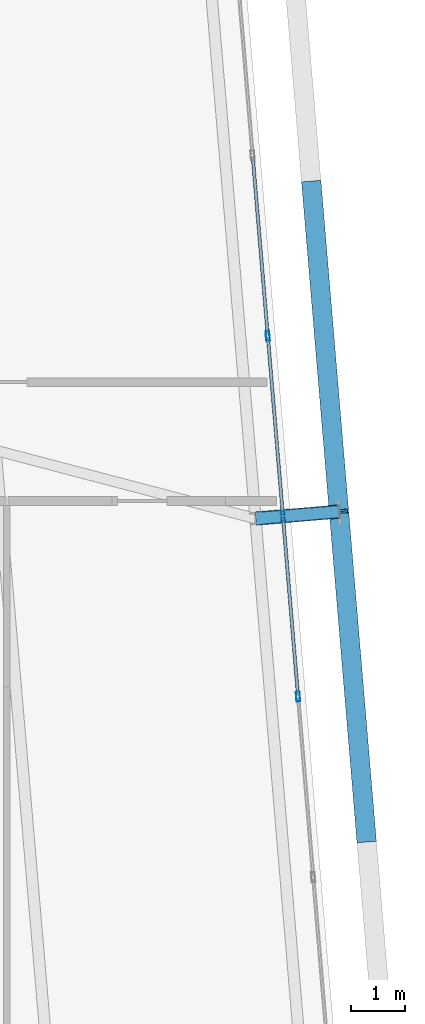
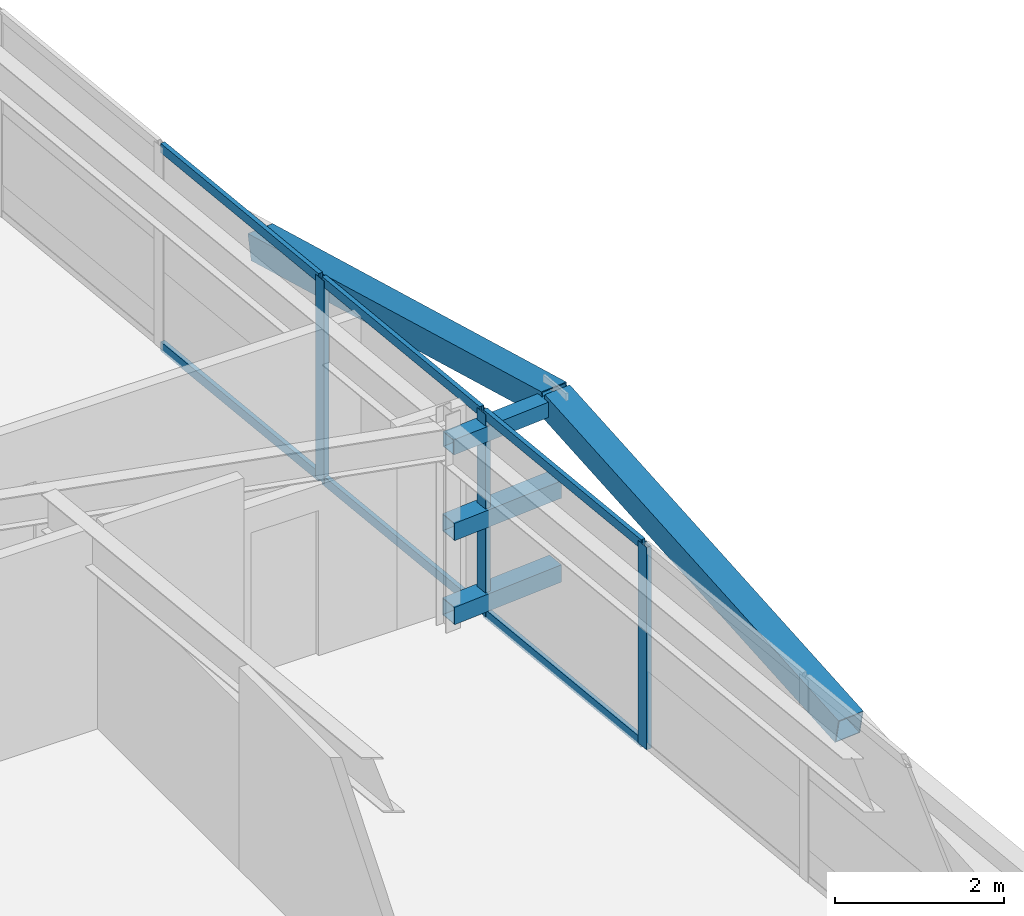
# One storey, part 25 of 44: 14 members, 1 element without a shape of its own.
"""IFC4 building model written with IfcOpenShell, lengths in metres."""

import ifcopenshell
import ifcopenshell.guid

model = None  # the IFC model being written
_history = None  # IfcOwnerHistory: only IFC2X3 demands one
_inside = {}  # id of a spatial element -> (the spatial element, [elements in it])
_under = {}  # id of a project, library or spatial element -> (it, [spatial elements below it])
_declared = {}  # id of a project -> (the project, [libraries it declares])
_typed = {}  # id of a type object -> (the type object, [elements of that type])
_made_of = {}  # id of a material, layer set ... -> (it, [elements and type objects made of it])


def new_model(schema):
    """Start an empty IFC model of exactly this schema.

    Asked for "IFC4X3", IfcOpenShell would pick the latest addendum, in which some entities
    have other attributes; the version numbers below select the first issue.
    IFC2X3 requires an IfcOwnerHistory on every rooted entity: one is made here for all.
    """
    global model, _history
    if schema == "IFC4X3":
        model = ifcopenshell.file(schema_version=(4, 3, 0, 0))
    else:
        model = ifcopenshell.file(schema=schema)
    _inside.clear()
    _under.clear()
    _declared.clear()
    _typed.clear()
    _made_of.clear()
    _history = None
    if model.schema == "IFC2X3":
        org = make("IfcOrganization", Name="unknown")
        user = make(
            "IfcPersonAndOrganization",
            ThePerson=make("IfcPerson", FamilyName="unknown"),
            TheOrganization=org,
        )
        app = make(
            "IfcApplication",
            ApplicationDeveloper=org,
            Version="unknown",
            ApplicationFullName="unknown",
            ApplicationIdentifier="unknown",
        )
        _history = make(
            "IfcOwnerHistory",
            OwningUser=user,
            OwningApplication=app,
            ChangeAction="ADDED",
            CreationDate=0,
        )
    return model


def make(cls, **values):
    """One entity of the class cls with the attributes given. An attribute that is None is left unset."""
    return model.create_entity(
        cls, **{name: value for name, value in values.items() if value is not None}
    )


def rooted(cls, **values):
    """An entity with a GlobalId (a new one), such as an element, a storey or a relation."""
    return make(cls, GlobalId=ifcopenshell.guid.new(), OwnerHistory=_history, **values)


def si_unit(unit_type, name, prefix=None):
    """IfcSIUnit, for example si_unit("LENGTHUNIT", "METRE", prefix="MILLI")."""
    return make("IfcSIUnit", UnitType=unit_type, Prefix=prefix, Name=name)


def assignment(units):
    """IfcUnitAssignment: the units of a project."""
    return None if units is None else make("IfcUnitAssignment", Units=units)


def point(xyz):
    """IfcCartesianPoint."""
    return None if xyz is None else make("IfcCartesianPoint", Coordinates=xyz)


def direction(xyz):
    """IfcDirection."""
    return None if xyz is None else make("IfcDirection", DirectionRatios=xyz)


def frame(location, z_axis=None, x_axis=None):
    """IfcAxis2Placement3D, a coordinate frame: its origin and axes. An axis left out is left unset."""
    return make(
        "IfcAxis2Placement3D",
        Location=point(location),
        Axis=direction(z_axis),
        RefDirection=direction(x_axis),
    )


def frame_2d(location, x_axis=None):
    """IfcAxis2Placement2D, a coordinate frame in the plane: its origin and x axis."""
    return make(
        "IfcAxis2Placement2D", Location=point(location), RefDirection=direction(x_axis)
    )


def origin():
    """The frame at (0, 0, 0) with its axes left unset."""
    return frame((0.0, 0.0, 0.0))


def origin_2d():
    """The frame at (0, 0) in the plane with its x axis left unset."""
    return frame_2d((0.0, 0.0))


def place(relative_to, where):
    """IfcLocalPlacement: puts the frame where relative to a parent placement (None: the world)."""
    return make(
        "IfcLocalPlacement", PlacementRelTo=relative_to, RelativePlacement=where
    )


def context(
    kind, dimensions, precision=None, world=None, true_north=None, identifier=None
):
    """IfcGeometricRepresentationContext, for example the 3D "Model" context."""
    return make(
        "IfcGeometricRepresentationContext",
        ContextIdentifier=identifier,
        ContextType=kind,
        CoordinateSpaceDimension=dimensions,
        Precision=precision,
        WorldCoordinateSystem=world,
        TrueNorth=true_north,
    )


def subcontext(parent, identifier, kind, view, scale=None):
    """IfcGeometricRepresentationSubContext, for example "Body" below "Model"."""
    return make(
        "IfcGeometricRepresentationSubContext",
        ContextIdentifier=identifier,
        ContextType=kind,
        ParentContext=parent,
        TargetScale=scale,
        TargetView=view,
    )


def project(units=None, contexts=None):
    """IfcProject with its units and contexts."""
    return rooted(
        "IfcProject",
        Name="project",
        RepresentationContexts=contexts,
        UnitsInContext=assignment(units),
    )


def spatial(cls, under=None, at=None, **own):
    """A site, building, storey or space (cls), placed at a placement, below another one or the project."""
    s = rooted(cls, ObjectPlacement=at, **own)
    if under is not None:
        _under.setdefault(under.id(), (under, []))[1].append(s)
    return s


def profile(cls, at=None, kind="AREA", **sizes):
    """A parametric profile (cls). Its sizes go by their IFC names, for example OverallWidth=200.0."""
    return make(cls, ProfileType=kind, Position=at, **sizes)


def hollow_rectangle(**sizes):
    """IfcRectangleHollowProfileDef."""
    return profile("IfcRectangleHollowProfileDef", **sizes)


def extrude(swept, where, along, depth):
    """IfcExtrudedAreaSolid: the profile swept, set in the frame where, extruded along a direction by depth."""
    return make(
        "IfcExtrudedAreaSolid",
        SweptArea=swept,
        Position=where,
        ExtrudedDirection=direction(along),
        Depth=depth,
    )


def shape(context_of_items, identifier, shape_type, items):
    """IfcShapeRepresentation: the items that make up one representation, for example the "Body"."""
    return make(
        "IfcShapeRepresentation",
        ContextOfItems=context_of_items,
        RepresentationIdentifier=identifier,
        RepresentationType=shape_type,
        Items=items,
    )


def source(mapping_origin, context_of_items, identifier, shape_type, items):
    """IfcRepresentationMap: a shape defined once, which mapped items show again and again."""
    return make(
        "IfcRepresentationMap",
        MappingOrigin=mapping_origin,
        MappedRepresentation=shape(context_of_items, identifier, shape_type, items),
    )


def transform(
    local_origin,
    x_axis=None,
    y_axis=None,
    z_axis=None,
    scale=None,
    scale2=None,
    scale3=None,
    uniform=True,
):
    """IfcCartesianTransformationOperator3D, or its non-uniform kind. x_axis, y_axis, z_axis: its Axis1, 2, 3."""
    if uniform:
        return make(
            "IfcCartesianTransformationOperator3D",
            Axis1=direction(x_axis),
            Axis2=direction(y_axis),
            LocalOrigin=point(local_origin),
            Scale=scale,
            Axis3=direction(z_axis),
        )
    return make(
        "IfcCartesianTransformationOperator3DnonUniform",
        Axis1=direction(x_axis),
        Axis2=direction(y_axis),
        LocalOrigin=point(local_origin),
        Scale=scale,
        Axis3=direction(z_axis),
        Scale2=scale2,
        Scale3=scale3,
    )


def mapped(mapping_source, mapping_target):
    """IfcMappedItem: shows the shape of a source again, moved by a transform."""
    return make(
        "IfcMappedItem", MappingSource=mapping_source, MappingTarget=mapping_target
    )


def material(Name=None, Category=None):
    """IfcMaterial."""
    return make("IfcMaterial", Name=Name, Category=Category)


def layer(
    of_material, thickness, ventilated=None, Name=None, Category=None, Priority=None
):
    """IfcMaterialLayer: one layer of a wall or slab, of a material (None: an air gap)."""
    return make(
        "IfcMaterialLayer",
        Material=of_material,
        LayerThickness=thickness,
        IsVentilated=ventilated,
        Name=Name,
        Category=Category,
        Priority=Priority,
    )


def layer_set(layers, Name=None):
    """IfcMaterialLayerSet."""
    return make("IfcMaterialLayerSet", MaterialLayers=layers, LayerSetName=Name)


def material_profile(
    of_material, cross_section, Name=None, Category=None, Priority=None
):
    """IfcMaterialProfile: a cross section and its material."""
    return make(
        "IfcMaterialProfile",
        Name=Name,
        Material=of_material,
        Profile=cross_section,
        Priority=Priority,
        Category=Category,
    )


def profile_set(profiles, Name=None, composite=None):
    """IfcMaterialProfileSet."""
    return make(
        "IfcMaterialProfileSet",
        Name=Name,
        MaterialProfiles=profiles,
        CompositeProfile=composite,
    )


def made_of(thing, what):
    """Note that an element or type object is made of a material, layer set ...; save() writes the relation."""
    if what is not None:
        _made_of.setdefault(what.id(), (what, []))[1].append(thing)
    return thing


def type_object(cls, material=None, **own):
    """A type object (cls), such as IfcWallType, which elements share."""
    return made_of(rooted(cls, **own), material)


def element(
    cls,
    number,
    at=None,
    inside=None,
    cuts=None,
    type_object=None,
    material=None,
    context=None,
    identifier="Body",
    shape_type=None,
    held_by="IfcProductDefinitionShape",
    body=None,
    shapes=None,
    **own,
):
    """One element of the class cls, such as IfcWall. Its Tag is "e" and its number.

    at: its placement. inside: the storey or other place that contains it. cuts: it is an
    opening in that element (IfcRelVoidsElement). A single representation is given by context,
    identifier, shape_type and body (its items); several are given by shapes. held_by: the class
    of the entity that holds the representations. save() writes the other relations.
    """
    e = rooted(cls, Tag="e%d" % number, ObjectPlacement=at, **own)
    if body is not None:
        shapes = [shape(context, identifier, shape_type, body)]
    if shapes is not None:
        e.Representation = make(held_by, Representations=shapes)
    if inside is not None:
        _inside.setdefault(inside.id(), (inside, []))[1].append(e)
    if cuts is not None:
        rooted(
            "IfcRelVoidsElement", RelatingBuildingElement=cuts, RelatedOpeningElement=e
        )
    if type_object is not None:
        _typed.setdefault(type_object.id(), (type_object, []))[1].append(e)
    return made_of(e, material)


def aggregate(whole, parts):
    """IfcRelAggregates: a whole, such as a stair, and the parts it consists of."""
    return rooted("IfcRelAggregates", RelatingObject=whole, RelatedObjects=parts)


def save(model, path):
    """Write the relations noted so far, then the file.

    IfcRelAggregates (storeys below a building ...), IfcRelContainedInSpatialStructure (elements
    in a storey), IfcRelDefinesByType, IfcRelAssociatesMaterial and IfcRelDeclares: one each for
    every whole, place, type object, material and project.
    """
    for whole, parts in _under.values():
        aggregate(whole, parts)
    for where, things in _inside.values():
        rooted(
            "IfcRelContainedInSpatialStructure",
            RelatedElements=things,
            RelatingStructure=where,
        )
    for kind, things in _typed.values():
        rooted("IfcRelDefinesByType", RelatedObjects=things, RelatingType=kind)
    for what, things in _made_of.values():
        rooted("IfcRelAssociatesMaterial", RelatedObjects=things, RelatingMaterial=what)
    for by, libraries in _declared.values():
        rooted("IfcRelDeclares", RelatingContext=by, RelatedDefinitions=libraries)
    model.write(path)


model = new_model("IFC4")

# Units and contexts
model_context = context("Model", 3, precision=1e-05, world=origin(), true_north=direction((0.0, 1.0)))
body_context = subcontext(model_context, "Body", "Model", "MODEL_VIEW")
ifc_project = project(units=[si_unit("LENGTHUNIT", "METRE"), si_unit("AREAUNIT", "SQUARE_METRE"), si_unit("VOLUMEUNIT", "CUBIC_METRE"), si_unit("PLANEANGLEUNIT", "RADIAN"), si_unit("MASSUNIT", "GRAM", prefix="KILO")], contexts=[model_context])

# Site, building, storey
site_placement = place(None, origin())
site = spatial("IfcSite", under=ifc_project, at=site_placement, CompositionType="ELEMENT")
building_placement = place(site_placement, origin())
building = spatial("IfcBuilding", under=site, at=building_placement, Name="Taldren Reach Tower", CompositionType="ELEMENT")
storey_placement = place(building_placement, frame((0.0, 0.0, 191.449951171875)))
storey = spatial("IfcBuildingStorey", under=building, at=storey_placement, Name="L58", CompositionType="ELEMENT", Elevation=191.449951171875)

# Members
ifc_material_1 = material(Name="Steel Gr 450 (C450L0)", Category="steel")
ifc_material_profile_1 = material_profile(ifc_material_1, hollow_rectangle(XDim=0.219970703125, YDim=0.219970703125, WallThickness=0.00830078125, at=origin_2d()), Name="220x220x8.2SHS")
ifc_profile_set_1 = profile_set([ifc_material_profile_1], Name="Steel Gr 450 (C450L0)")
member_type_1 = type_object("IfcMemberType", Name="MB-TIE219", PredefinedType="STRUT", material=ifc_profile_set_1)
shared_shape_1 = source(origin(), body_context, "Body", "SweptSolid", [
    extrude(hollow_rectangle(XDim=0.219970703125, YDim=0.219970703125, WallThickness=0.00830078125, at=origin_2d()), origin(), (0.0, 0.0, 1.0), 1.54541015625),
])
member_1_placement = place(storey_placement, frame((60.621826171875, 21.47509765625, 2.650146484375), z_axis=(0.99648887425, 0.083725285883, 0.0), x_axis=(-0.083725285883, 0.99648887425, 0.0)))
element("IfcMember", 1, at=member_1_placement, inside=storey, type_object=member_type_1, Name="Exoskeleton diaphragm tie strut B4-E2 L58", PredefinedType="STRUT", context=body_context, shape_type="MappedRepresentation", body=[
    mapped(shared_shape_1, transform((0.0, 0.0, 0.0), scale=1.0)),
])
ifc_material_2 = material(Name="Steel Gr 350 (C350L0)", Category="steel")
ifc_material_profile_2 = material_profile(ifc_material_2, hollow_rectangle(XDim=0.25, YDim=0.25, WallThickness=0.010009765625, at=origin_2d()), Name="250x250x10.0SHS")
ifc_profile_set_2 = profile_set([ifc_material_profile_2], Name="Steel Gr 350 (C350L0)")
member_type_2 = type_object("IfcMemberType", Name="MB-POST250", PredefinedType="POST", material=ifc_profile_set_2)
shared_shape_2 = source(origin(), body_context, "Body", "SweptSolid", [
    extrude(hollow_rectangle(XDim=0.25, YDim=0.25, WallThickness=0.010009765625, at=origin_2d()), origin(), (0.0, 0.0, 1.0), 1.54541015625),
])
for number, where, z_axis, x_axis, name in (
    (2, (60.621826171875, 21.47509765625, 0.219970703125), (0.99648887425, 0.083725285883, 0.0), (-0.083725285883, 0.99648887425, 0.0), "Exoskeleton base diaphragm tie strut B4-E2 L58"),
    (3, (60.621826171875, 21.47509765625, 1.43505859375), (0.99648887425, 0.083725285883, 0.0), (-0.083725285883, 0.99648887425, 0.0), "Exoskeleton mid-tier diaphragm tie B4-E2 L58"),
):
    element("IfcMember", number, at=place(storey_placement, frame(where, z_axis=z_axis, x_axis=x_axis)), inside=storey, type_object=member_type_2, Name=name, PredefinedType="POST", context=body_context, shape_type="MappedRepresentation", body=[
        mapped(shared_shape_2, transform((0.0, 0.0, 0.0), scale=1.0)),
    ])
ifc_material_profile_3 = material_profile(ifc_material_1, hollow_rectangle(XDim=0.360107421875, YDim=0.360107421875, WallThickness=0.0126953125, at=origin_2d()), Name="360x360x12.7SHS")
ifc_profile_set_3 = profile_set([ifc_material_profile_3], Name="Steel Gr 450 (C450L0)")
member_type_3 = type_object("IfcMemberType", Name="MB-EXO356", PredefinedType="BRACE", material=ifc_profile_set_3)
shared_shape_3 = source(origin(), body_context, "Body", "SweptSolid", [
    extrude(hollow_rectangle(XDim=0.360107421875, YDim=0.360107421875, WallThickness=0.0126953125, at=origin_2d()), origin(), (0.0, 0.0, 1.0), 6.219970703125),
])
member_2_placement = place(storey_placement, frame((61.6513671875, 27.68310546875, 1.43505859375), z_axis=(0.082075564879, -0.977291924611, 0.195356330179), x_axis=(0.996492003099, 0.083688038336, 0.0)))
element("IfcMember", 4, at=member_2_placement, inside=storey, type_object=member_type_3, Name="Exoskeleton Diagrid Brace B4-E2 L58", PredefinedType="BRACE", context=body_context, shape_type="MappedRepresentation", body=[
    mapped(shared_shape_3, transform((0.0, 0.0, 0.0), scale=1.0)),
])
shared_shape_4 = source(origin(), body_context, "Body", "SweptSolid", [
    extrude(hollow_rectangle(XDim=0.360107421875, YDim=0.360107421875, WallThickness=0.0126953125, at=origin_2d()), origin(), (0.0, 0.0, 1.0), 6.2197265625),
])
member_3_placement = place(storey_placement, frame((62.672119140625, 15.52587890625, 1.43505859375), z_axis=(-0.082036577282, 0.977295072332, 0.195356959394), x_axis=(-0.996495340012, -0.08364829547, 0.0)))
element("IfcMember", 5, at=member_3_placement, inside=storey, type_object=member_type_3, Name="Exoskeleton Diagrid Brace B4-E1 L58", PredefinedType="BRACE", context=body_context, shape_type="MappedRepresentation", body=[
    mapped(shared_shape_4, transform((0.0, 0.0, 0.0), scale=1.0)),
])

# Curtain wall, members
ifc_material_3 = material(Name="Aluminium and Low-E Glass Unitised System", Category="aluminium")
ifc_layer = layer(ifc_material_3, 0.159912109375)
ifc_layer_set = layer_set([ifc_layer], Name="Aluminium and Low-E Glass Unitised System")
curtain_wall_type = type_object("IfcCurtainWallType", Name="CW-SYS-5", PredefinedType="NOTDEFINED", material=ifc_layer_set)
curtain_wall_placement = place(storey_placement, origin())
curtain_wall = element("IfcCurtainWall", 6, at=curtain_wall_placement, inside=storey, type_object=curtain_wall_type, Name="Unitised curtain wall CW-L58-E", PredefinedType="NOTDEFINED")
ifc_material_4 = material(Name="Anodised Aluminium 6063-T6", Category="aluminium")
ifc_material_profile_4 = material_profile(ifc_material_4, hollow_rectangle(XDim=0.070068359375, YDim=0.179931640625, WallThickness=0.00390625, at=origin_2d()), Name="ALU-180x70x4RHS")
ifc_profile_set_4 = profile_set([ifc_material_profile_4], Name="Anodised Aluminium 6063-T6")
member_type_4 = type_object("IfcMemberType", Name="CW-MUL-180", PredefinedType="MULLION", material=ifc_profile_set_4)
shared_shape_5 = source(origin(), body_context, "Body", "SweptSolid", [
    extrude(hollow_rectangle(XDim=0.070068359375, YDim=0.179931640625, WallThickness=0.00390625, at=origin_2d()), origin(), (0.0, 0.0, 1.0), 2.929931640625),
])
member_4_placement = place(storey_placement, frame((61.40576171875, 18.17919921875, 0.0), z_axis=(0.0, 0.0, 1.0), x_axis=(-0.996492847789, -0.083677979808, 0.0)))
member_4 = element("IfcMember", 7, at=member_4_placement, type_object=member_type_4, Name="CW-5 mullion 4", PredefinedType="MULLION", context=body_context, shape_type="MappedRepresentation", body=[
    mapped(shared_shape_5, transform((0.0, 0.0, 0.0), scale=1.0)),
])
member_5_placement = place(storey_placement, frame((61.12548828125, 21.517578125, 0.0), z_axis=(0.0, 0.0, 1.0), x_axis=(-0.996492847789, -0.083677979808, 0.0)))
member_5 = element("IfcMember", 8, at=member_5_placement, type_object=member_type_4, Name="CW-5 mullion 5", PredefinedType="MULLION", context=body_context, shape_type="MappedRepresentation", body=[
    mapped(shared_shape_5, transform((0.0, 0.0, 0.0), scale=1.0)),
])
member_6_placement = place(storey_placement, frame((60.84521484375, 24.855712890625, 0.0), z_axis=(0.0, 0.0, 1.0), x_axis=(-0.996492847789, -0.083677979808, 0.0)))
member_6 = element("IfcMember", 9, at=member_6_placement, type_object=member_type_4, Name="CW-5 mullion 6", PredefinedType="MULLION", context=body_context, shape_type="MappedRepresentation", body=[
    mapped(shared_shape_5, transform((0.0, 0.0, 0.0), scale=1.0)),
])
ifc_material_profile_5 = material_profile(ifc_material_4, hollow_rectangle(XDim=0.06005859375, YDim=0.135009765625, WallThickness=0.00341796875, at=origin_2d()), Name="ALU-135x60x3.5RHS")
ifc_profile_set_5 = profile_set([ifc_material_profile_5], Name="Anodised Aluminium 6063-T6")
member_type_5 = type_object("IfcMemberType", Name="CW-TRN-150", PredefinedType="USERDEFINED", material=ifc_profile_set_5)
shared_shape_6 = source(origin(), body_context, "Body", "SweptSolid", [
    extrude(hollow_rectangle(XDim=0.06005859375, YDim=0.135009765625, WallThickness=0.00341796875, at=origin_2d()), origin(), (0.0, 0.0, 1.0), 3.280029296875),
])
member_7_placement = place(storey_placement, frame((61.40283203125, 18.214111328125, 0.030029296875), z_axis=(-0.083661452101, 0.996494235524, 0.0), x_axis=(-0.996494235524, -0.083661452101, 0.0)))
member_7 = element("IfcMember", 10, at=member_7_placement, type_object=member_type_5, Name="CW-5 transom 4.1", ObjectType="TRANSOM", PredefinedType="USERDEFINED", context=body_context, shape_type="MappedRepresentation", body=[
    mapped(shared_shape_6, transform((0.0, 0.0, 0.0), scale=1.0)),
])
member_8_placement = place(storey_placement, frame((61.40283203125, 18.214111328125, 2.900146484375), z_axis=(-0.083661452101, 0.996494235524, 0.0), x_axis=(-0.996494235524, -0.083661452101, 0.0)))
member_8 = element("IfcMember", 11, at=member_8_placement, type_object=member_type_5, Name="CW-5 transom 4.2", ObjectType="TRANSOM", PredefinedType="USERDEFINED", context=body_context, shape_type="MappedRepresentation", body=[
    mapped(shared_shape_6, transform((0.0, 0.0, 0.0), scale=1.0)),
])
member_9_placement = place(storey_placement, frame((61.12255859375, 21.55224609375, 0.030029296875), z_axis=(-0.083661452101, 0.996494235524, 0.0), x_axis=(-0.996494235524, -0.083661452101, 0.0)))
member_9 = element("IfcMember", 12, at=member_9_placement, type_object=member_type_5, Name="CW-5 transom 5.1", ObjectType="TRANSOM", PredefinedType="USERDEFINED", context=body_context, shape_type="MappedRepresentation", body=[
    mapped(shared_shape_6, transform((0.0, 0.0, 0.0), scale=1.0)),
])
member_10_placement = place(storey_placement, frame((61.12255859375, 21.55224609375, 2.900146484375), z_axis=(-0.083661452101, 0.996494235524, 0.0), x_axis=(-0.996494235524, -0.083661452101, 0.0)))
member_10 = element("IfcMember", 13, at=member_10_placement, type_object=member_type_5, Name="CW-5 transom 5.2", ObjectType="TRANSOM", PredefinedType="USERDEFINED", context=body_context, shape_type="MappedRepresentation", body=[
    mapped(shared_shape_6, transform((0.0, 0.0, 0.0), scale=1.0)),
])
member_11_placement = place(storey_placement, frame((60.84228515625, 24.890625, 0.030029296875), z_axis=(-0.083735362341, 0.996488027572, 0.0), x_axis=(-0.996488027572, -0.083735362341, 0.0)))
member_11 = element("IfcMember", 14, at=member_11_placement, type_object=member_type_5, Name="CW-5 transom 6.1", ObjectType="TRANSOM", PredefinedType="USERDEFINED", context=body_context, shape_type="MappedRepresentation", body=[
    mapped(shared_shape_6, transform((0.0, 0.0, 0.0), scale=1.0)),
])
member_12_placement = place(storey_placement, frame((60.84228515625, 24.890625, 2.900146484375), z_axis=(-0.083735362341, 0.996488027572, 0.0), x_axis=(-0.996488027572, -0.083735362341, 0.0)))
member_12 = element("IfcMember", 15, at=member_12_placement, type_object=member_type_5, Name="CW-5 transom 6.2", ObjectType="TRANSOM", PredefinedType="USERDEFINED", context=body_context, shape_type="MappedRepresentation", body=[
    mapped(shared_shape_6, transform((0.0, 0.0, 0.0), scale=1.0)),
])
aggregate(curtain_wall, [member_4, member_5, member_6, member_7, member_8, member_9, member_10, member_11, member_12])

save(model, "model.ifc")
